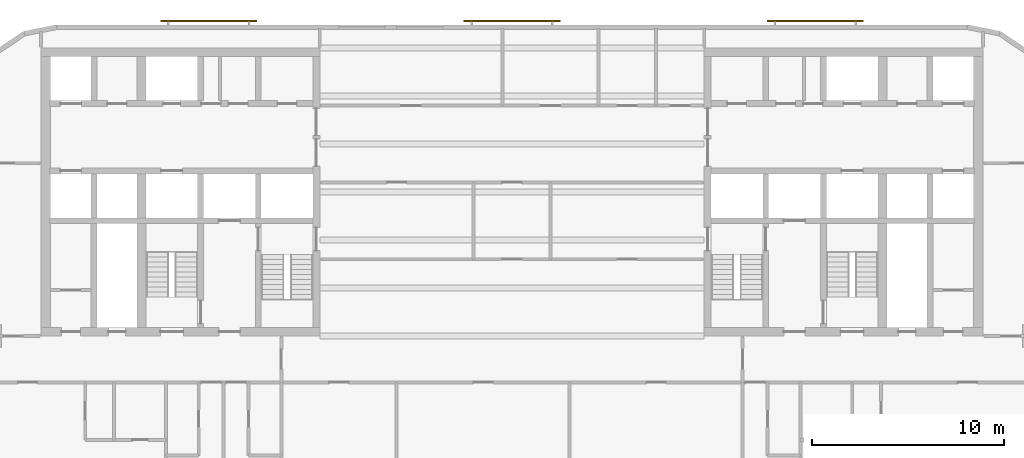
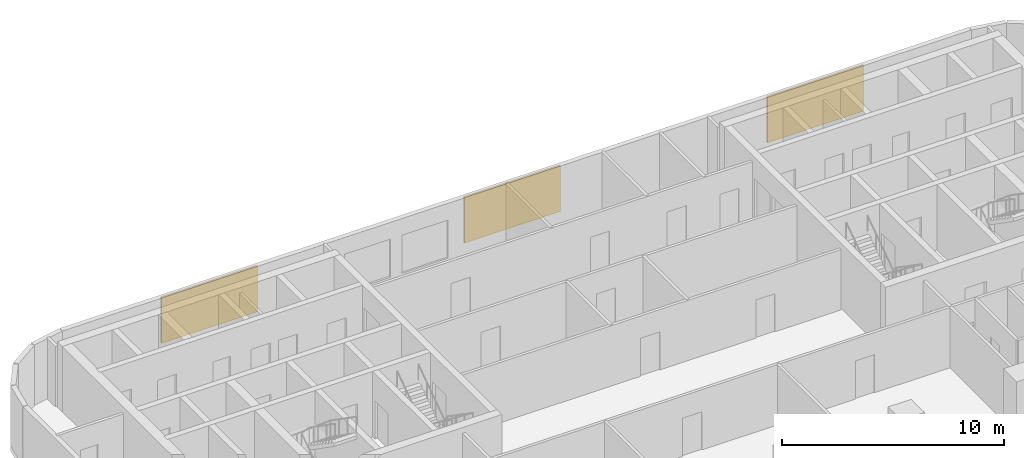
# One storey, part 10 of 11: 3 shading devices.
"""IFC4 building model written with IfcOpenShell, lengths in metres."""

from ifc_helpers import new_model, si_unit, direction, frame, origin, origin_2d, place, context, subcontext, project, spatial, rectangle, extrude, material, layer, layer_set, type_object, element, save


model = new_model("IFC4")

# Units and contexts
model_context = context("Model", 3, precision=1e-05, world=origin(), true_north=direction((0.0, 1.0)))
body_context = subcontext(model_context, "Body", "Model", "MODEL_VIEW")
ifc_project = project(units=[si_unit("LENGTHUNIT", "METRE"), si_unit("AREAUNIT", "SQUARE_METRE"), si_unit("VOLUMEUNIT", "CUBIC_METRE"), si_unit("PLANEANGLEUNIT", "RADIAN"), si_unit("MASSUNIT", "GRAM", prefix="KILO")], contexts=[model_context])

# Site, building, storey
site_placement = place(None, origin())
site = spatial("IfcSite", under=ifc_project, at=site_placement, CompositionType="ELEMENT")
building_placement = place(site_placement, origin())
building = spatial("IfcBuilding", under=site, at=building_placement, Name="Torana Hotel and Residences", CompositionType="ELEMENT")
storey_placement = place(building_placement, frame((0.0, 0.0, 134.39990234375)))
storey = spatial("IfcBuildingStorey", under=building, at=storey_placement, Name="L34", CompositionType="ELEMENT", Elevation=134.39990234375)

# Shading devices
ifc_material = material(Name="Concrete C40/50 precast", Category="concrete")
ifc_layer = layer(ifc_material, 0.10009765625)
ifc_layer_set = layer_set([ifc_layer], Name="SC1 PERFORATED BLOCK SCREEN PANEL 100")
shading_device_type = type_object("IfcShadingDeviceType", Name="SC1 PERFORATED BLOCK SCREEN PANEL 100", PredefinedType="USERDEFINED", material=ifc_layer_set)
for number, where, z_axis, x_axis, name in (
    (1, (15.78369140625, 1.39990234375, 0.5), (0.0, 0.0, 1.0), (-1.0, 0.0, 0.0), "Perforated block screen L34"),
    (2, (0.0, 1.39990234375, 0.5), (0.0, 0.0, 1.0), (-1.0, 0.0, 0.0), "Perforated block screen L34"),
    (3, (-15.78369140625, 1.39990234375, 0.5), (0.0, 0.0, 1.0), (-1.0, 0.0, 0.0), "Perforated block screen L34"),
):
    element("IfcShadingDevice", number, at=place(storey_placement, frame(where, z_axis=z_axis, x_axis=x_axis)), inside=storey, type_object=shading_device_type, Name=name, ObjectType="SCREEN", PredefinedType="USERDEFINED", context=body_context, shape_type="SweptSolid", body=[
        extrude(rectangle(XDim=5.0, YDim=0.10009765625, at=origin_2d()), origin(), (0.0, 0.0, 1.0), 2.52001953125),
    ])

save(model, "model.ifc")
